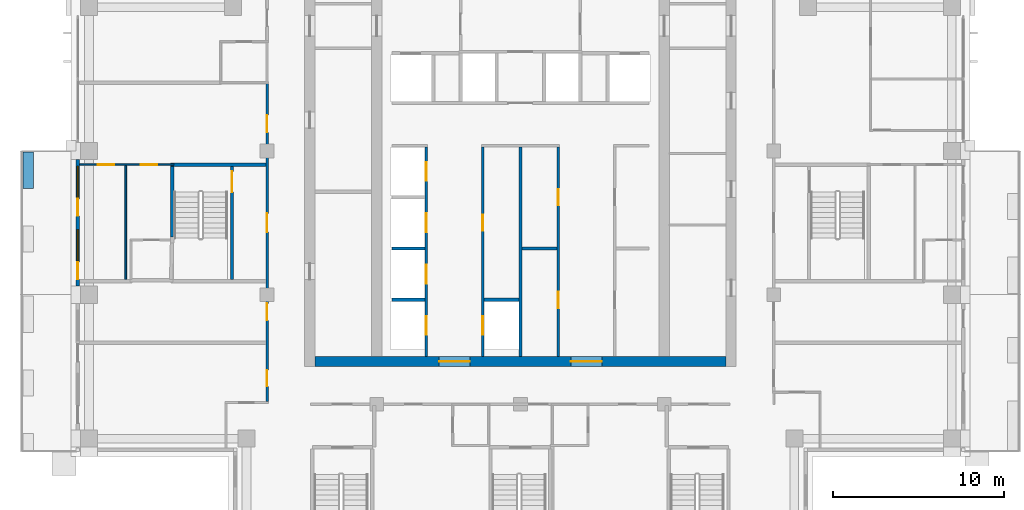
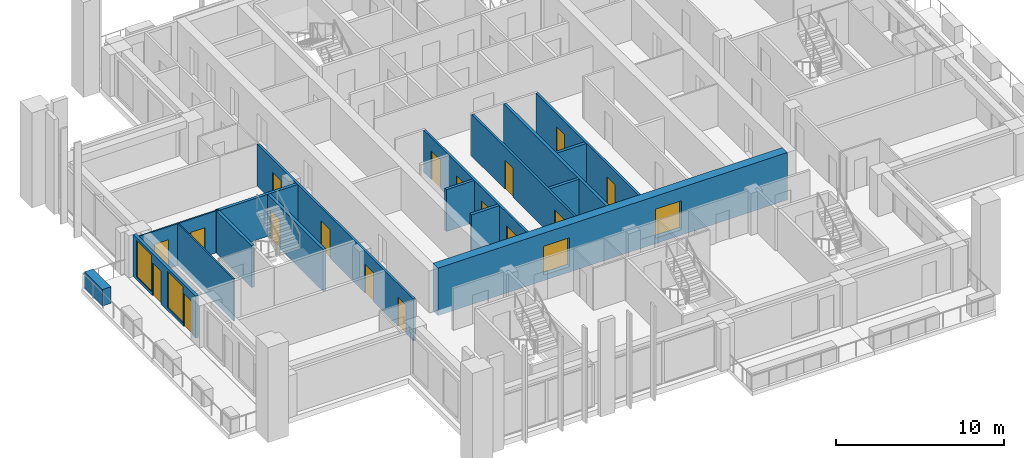
# One storey, part 9 of 18: 19 doors, 17 walls, 2 windows, 21 openings.
"""IFC4 building model written with IfcOpenShell, lengths in metres."""

from ifc_helpers import new_model, si_unit, direction, frame, frame_2d, origin, place, context, subcontext, project, spatial, rectangle, extrude, material, layer, layer_set, type_object, element, fill, save


model = new_model("IFC4")

# Units and contexts
model_context = context("Model", 3, precision=1e-05, world=origin(), true_north=direction((0.0, 1.0)))
body_context = subcontext(model_context, "Body", "Model", "MODEL_VIEW")
ifc_project = project(units=[si_unit("LENGTHUNIT", "METRE"), si_unit("AREAUNIT", "SQUARE_METRE"), si_unit("VOLUMEUNIT", "CUBIC_METRE"), si_unit("PLANEANGLEUNIT", "RADIAN"), si_unit("MASSUNIT", "GRAM", prefix="KILO")], contexts=[model_context])

# Site, building, storey
site_placement = place(None, origin())
site = spatial("IfcSite", under=ifc_project, at=site_placement, CompositionType="ELEMENT")
building_placement = place(site_placement, origin())
building = spatial("IfcBuilding", under=site, at=building_placement, Name="Vermilion Ogive Tower", CompositionType="ELEMENT")
storey_placement = place(building_placement, frame((0.0, 0.0, 199.699951171875)))
storey = spatial("IfcBuildingStorey", under=building, at=storey_placement, Name="L52", CompositionType="ELEMENT", Elevation=199.699951171875)

# Wall, openings, doors
ifc_material_1 = material(Name="Concrete B60", Category="concrete")
ifc_layer_1 = layer(ifc_material_1, 0.60009765625)
ifc_layer_set_1 = layer_set([ifc_layer_1], Name="Core wall 600 B60")
wall_type_1 = type_object("IfcWallType", Name="Core wall 600 B60", PredefinedType="SHEAR", material=ifc_layer_set_1)
wall_1_placement = place(storey_placement, frame((-12.0, -8.10009765625, -0.39990234375), z_axis=(0.0, 0.0, 1.0), x_axis=(1.0, 0.0, 0.0)))
wall_1 = element("IfcWall", 1, at=wall_1_placement, inside=storey, type_object=wall_type_1, Name="L52-CORE-S", PredefinedType="SHEAR", context=body_context, shape_type="SweptSolid", body=[
    extrude(rectangle(XDim=24.0, YDim=0.60009765625, at=frame_2d((12.0, 0.0))), origin(), (0.0, 0.0, 1.0), 3.449951171875),
])
opening_1_placement = place(wall_1_placement, frame((7.25, 0.0, 0.39990234375)))
opening_1 = element("IfcOpeningElement", 2, at=opening_1_placement, cuts=wall_1, Name="Opening DAH041", PredefinedType="OPENING", context=body_context, shape_type="SweptSolid", body=[
    extrude(rectangle(XDim=1.800048828125, YDim=2.10009765625, at=frame_2d((0.89990234375, 1.050048828125))), frame((0.0, 0.31005859375, 0.0), z_axis=(0.0, -1.0, 0.0), x_axis=(1.0, 0.0, 0.0)), (0.0, 0.0, 1.0), 0.6201171875),
])
opening_2_placement = place(wall_1_placement, frame((14.949951171875, 0.0, 0.39990234375)))
opening_2 = element("IfcOpeningElement", 3, at=opening_2_placement, cuts=wall_1, Name="Opening DAH042", PredefinedType="OPENING", context=body_context, shape_type="SweptSolid", body=[
    extrude(rectangle(XDim=1.800048828125, YDim=2.10009765625, at=frame_2d((0.89990234375, 1.050048828125))), frame((0.0, 0.31005859375, 0.0), z_axis=(0.0, -1.0, 0.0), x_axis=(1.0, 0.0, 0.0)), (0.0, 0.0, 1.0), 0.6201171875),
])
ifc_material_2 = material(Name="Timber door leaf", Category="wood")
door_type_1 = type_object("IfcDoorType", Name="Core entry door 1800 x 2100 FD60S", OperationType="DOUBLE_DOOR_SINGLE_SWING", PredefinedType="DOOR", material=ifc_material_2)
door_1_placement = place(opening_1_placement, origin())
door_1 = element("IfcDoor", 4, at=door_1_placement, inside=storey, type_object=door_type_1, Name="L52-CK-XD1", OperationType="SINGLE_SWING_LEFT", OverallHeight=2.10009765625, OverallWidth=1.800048828125, PredefinedType="DOOR", context=body_context, shape_type="SweptSolid", body=[
    extrude(rectangle(XDim=1.800048828125, YDim=2.10009765625, at=frame_2d((0.89990234375, 1.050048828125))), frame((0.0, 0.02490234375, 0.0), z_axis=(0.0, -1.0, 0.0), x_axis=(1.0, 0.0, 0.0)), (0.0, 0.0, 1.0), 0.050048828125),
])
fill(opening_1, door_1)
door_2_placement = place(opening_2_placement, origin())
door_2 = element("IfcDoor", 5, at=door_2_placement, inside=storey, type_object=door_type_1, Name="L52-CK-XD2", OperationType="SINGLE_SWING_LEFT", OverallHeight=2.10009765625, OverallWidth=1.800048828125, PredefinedType="DOOR", context=body_context, shape_type="SweptSolid", body=[
    extrude(rectangle(XDim=1.800048828125, YDim=2.10009765625, at=frame_2d((0.89990234375, 1.050048828125))), frame((0.0, 0.02490234375, 0.0), z_axis=(0.0, -1.0, 0.0), x_axis=(1.0, 0.0, 0.0)), (0.0, 0.0, 1.0), 0.050048828125),
])
fill(opening_2, door_2)

ifc_material_3 = material(Name="Gypsum board partition on steel studs", Category="steel")
ifc_layer_2 = layer(ifc_material_3, 0.10009765625)
ifc_layer_set_2 = layer_set([ifc_layer_2], Name="Partition 100 inner")
wall_type_2 = type_object("IfcWallType", Name="Partition 100 inner", PredefinedType="PARTITIONING", material=ifc_layer_set_2)
wall_2_placement = place(storey_placement, frame((-25.75, 3.39990234375, 0.0), z_axis=(0.0, 0.0, 1.0), x_axis=(1.0, 0.0, 0.0)))
wall_2 = element("IfcWall", 6, at=wall_2_placement, inside=storey, type_object=wall_type_2, Name="L52-W-W023", PredefinedType="PARTITIONING", context=body_context, shape_type="SweptSolid", body=[
    extrude(rectangle(XDim=5.5, YDim=0.10009765625, at=frame_2d((2.75, 0.0))), origin(), (0.0, 0.0, 1.0), 3.050048828125),
])
opening_3_placement = place(wall_2_placement, frame((1.074951171875, 0.0, 0.0)))
opening_3 = element("IfcOpeningElement", 7, at=opening_3_placement, cuts=wall_2, Name="Opening D4G4003", PredefinedType="OPENING", context=body_context, shape_type="SweptSolid", body=[
    extrude(rectangle(XDim=0.949951171875, YDim=2.10009765625, at=frame_2d((0.47509765625, 1.050048828125))), frame((0.0, 0.06005859375, 0.0), z_axis=(0.0, -1.0, 0.0), x_axis=(1.0, 0.0, 0.0)), (0.0, 0.0, 1.0), 0.1201171875),
])
opening_4_placement = place(wall_2_placement, frame((3.574951171875, 0.0, 0.0)))
opening_4 = element("IfcOpeningElement", 8, at=opening_4_placement, cuts=wall_2, Name="Opening D4G4005", PredefinedType="OPENING", context=body_context, shape_type="SweptSolid", body=[
    extrude(rectangle(XDim=0.949951171875, YDim=2.10009765625, at=frame_2d((0.47509765625, 1.050048828125))), frame((0.0, 0.06005859375, 0.0), z_axis=(0.0, -1.0, 0.0), x_axis=(1.0, 0.0, 0.0)), (0.0, 0.0, 1.0), 0.1201171875),
])
ifc_material_4 = material(Name="Timber door leaf", Category="wood")
door_type_2 = type_object("IfcDoorType", Name="Inner door 950 x 2100 FD30", OperationType="SINGLE_SWING_LEFT", PredefinedType="DOOR", material=ifc_material_4)
door_3_placement = place(opening_3_placement, origin())
door_3 = element("IfcDoor", 9, at=door_3_placement, inside=storey, type_object=door_type_2, Name="L52-D-D003", OperationType="SINGLE_SWING_RIGHT", OverallHeight=2.10009765625, OverallWidth=0.949951171875, PredefinedType="DOOR", context=body_context, shape_type="SweptSolid", body=[
    extrude(rectangle(XDim=0.949951171875, YDim=2.10009765625, at=frame_2d((0.47509765625, 1.050048828125))), frame((0.0, 0.02490234375, 0.0), z_axis=(0.0, -1.0, 0.0), x_axis=(1.0, 0.0, 0.0)), (0.0, 0.0, 1.0), 0.050048828125),
])
fill(opening_3, door_3)
door_4_placement = place(opening_4_placement, origin())
door_4 = element("IfcDoor", 10, at=door_4_placement, inside=storey, type_object=door_type_2, Name="L52-D-D005", OperationType="SINGLE_SWING_RIGHT", OverallHeight=2.10009765625, OverallWidth=0.949951171875, PredefinedType="DOOR", context=body_context, shape_type="SweptSolid", body=[
    extrude(rectangle(XDim=0.949951171875, YDim=2.10009765625, at=frame_2d((0.47509765625, 1.050048828125))), frame((0.0, 0.02490234375, 0.0), z_axis=(0.0, -1.0, 0.0), x_axis=(1.0, 0.0, 0.0)), (0.0, 0.0, 1.0), 0.050048828125),
])
fill(opening_4, door_4)

# Wall
wall_3_placement = place(storey_placement, frame((-23.050048828125, -3.300048828125, 0.0), z_axis=(0.0, 0.0, 1.0), x_axis=(0.0, 1.0, 0.0)))
element("IfcWall", 11, at=wall_3_placement, inside=storey, type_object=wall_type_2, Name="L52-W-W036", PredefinedType="PARTITIONING", context=body_context, shape_type="SweptSolid", body=[
    extrude(rectangle(XDim=6.650146484375, YDim=0.10009765625, at=frame_2d((3.3251953125, 0.0))), origin(), (0.0, 0.0, 1.0), 3.050048828125),
])

# Wall, openings, doors
ifc_material_5 = material(Name="Gypsum board partition on steel studs", Category="steel")
ifc_layer_3 = layer(ifc_material_5, 0.14990234375)
ifc_layer_set_3 = layer_set([ifc_layer_3], Name="Partition 150 corridor")
wall_type_3 = type_object("IfcWallType", Name="Partition 150 corridor", PredefinedType="PARTITIONING", material=ifc_layer_set_3)
wall_4_placement = place(storey_placement, frame((-14.800048828125, -10.449951171875, 0.0), z_axis=(0.0, 0.0, 1.0), x_axis=(0.0, 1.0, 0.0)))
wall_4 = element("IfcWall", 12, at=wall_4_placement, inside=storey, type_object=wall_type_3, Name="L52-W-W043", PredefinedType="PARTITIONING", context=body_context, shape_type="SweptSolid", body=[
    extrude(rectangle(XDim=18.579833984375, YDim=0.14990234375, at=frame_2d((9.2900390625, 0.0))), origin(), (0.0, 0.0, 1.0), 3.050048828125),
])
opening_5_placement = place(wall_4_placement, frame((0.89990234375, 0.0, 0.0)))
opening_5 = element("IfcOpeningElement", 13, at=opening_5_placement, cuts=wall_4, Name="Opening D4G4001", PredefinedType="OPENING", context=body_context, shape_type="SweptSolid", body=[
    extrude(rectangle(XDim=0.949951171875, YDim=2.10009765625, at=frame_2d((0.47509765625, 1.050048828125))), frame((0.0, 0.0849609375, 0.0), z_axis=(0.0, -1.0, 0.0), x_axis=(1.0, 0.0, 0.0)), (0.0, 0.0, 1.0), 0.169921875),
])
opening_6_placement = place(wall_4_placement, frame((15.739990234375, 0.0, 0.0)))
opening_6 = element("IfcOpeningElement", 14, at=opening_6_placement, cuts=wall_4, Name="Opening D4G4004", PredefinedType="OPENING", context=body_context, shape_type="SweptSolid", body=[
    extrude(rectangle(XDim=1.0, YDim=2.10009765625, at=frame_2d((0.5, 1.050048828125))), frame((0.0, 0.0849609375, 0.0), z_axis=(0.0, -1.0, 0.0), x_axis=(1.0, 0.0, 0.0)), (0.0, 0.0, 1.0), 0.169921875),
])
opening_7_placement = place(wall_4_placement, frame((9.89990234375, 0.0, 0.0)))
opening_7 = element("IfcOpeningElement", 15, at=opening_7_placement, cuts=wall_4, Name="Opening D4G4033", PredefinedType="OPENING", context=body_context, shape_type="SweptSolid", body=[
    extrude(rectangle(XDim=1.10009765625, YDim=2.10009765625, at=frame_2d((0.550048828125, 1.050048828125))), frame((0.0, 0.0849609375, 0.0), z_axis=(0.0, -1.0, 0.0), x_axis=(1.0, 0.0, 0.0)), (0.0, 0.0, 1.0), 0.169921875),
])
opening_8_placement = place(wall_4_placement, frame((4.75, 0.0, 0.0)))
opening_8 = element("IfcOpeningElement", 16, at=opening_8_placement, cuts=wall_4, Name="Opening D4G4035", PredefinedType="OPENING", context=body_context, shape_type="SweptSolid", body=[
    extrude(rectangle(XDim=1.0, YDim=2.10009765625, at=frame_2d((0.5, 1.050048828125))), frame((0.0, 0.0849609375, 0.0), z_axis=(0.0, -1.0, 0.0), x_axis=(1.0, 0.0, 0.0)), (0.0, 0.0, 1.0), 0.169921875),
])
ifc_material_6 = material(Name="Timber door leaf", Category="wood")
door_type_3 = type_object("IfcDoorType", Name="Stair door 1100 x 2100 FD60S", OperationType="SINGLE_SWING_LEFT", PredefinedType="DOOR", material=ifc_material_6)
door_5_placement = place(opening_7_placement, origin())
door_5 = element("IfcDoor", 17, at=door_5_placement, inside=storey, type_object=door_type_3, Name="L52-D-D033", OperationType="SINGLE_SWING_RIGHT", OverallHeight=2.10009765625, OverallWidth=1.10009765625, PredefinedType="DOOR", context=body_context, shape_type="SweptSolid", body=[
    extrude(rectangle(XDim=1.10009765625, YDim=2.10009765625, at=frame_2d((0.550048828125, 1.050048828125))), frame((0.0, 0.02490234375, 0.0), z_axis=(0.0, -1.0, 0.0), x_axis=(1.0, 0.0, 0.0)), (0.0, 0.0, 1.0), 0.050048828125),
])
fill(opening_7, door_5)
ifc_material_7 = material(Name="Timber door leaf", Category="wood")
door_type_4 = type_object("IfcDoorType", Name="Unit door 1000 x 2100 FD30S", OperationType="SINGLE_SWING_LEFT", PredefinedType="DOOR", material=ifc_material_7)
door_6_placement = place(opening_6_placement, origin())
door_6 = element("IfcDoor", 18, at=door_6_placement, inside=storey, type_object=door_type_4, Name="L52-D-D004", OperationType="SINGLE_SWING_RIGHT", OverallHeight=2.10009765625, OverallWidth=1.0, PredefinedType="DOOR", context=body_context, shape_type="SweptSolid", body=[
    extrude(rectangle(XDim=1.0, YDim=2.10009765625, at=frame_2d((0.5, 1.050048828125))), frame((0.0, 0.02490234375, 0.0), z_axis=(0.0, -1.0, 0.0), x_axis=(1.0, 0.0, 0.0)), (0.0, 0.0, 1.0), 0.050048828125),
])
fill(opening_6, door_6)
door_7_placement = place(opening_8_placement, origin())
door_7 = element("IfcDoor", 19, at=door_7_placement, inside=storey, type_object=door_type_4, Name="L52-D-D035", OperationType="SINGLE_SWING_LEFT", OverallHeight=2.10009765625, OverallWidth=1.0, PredefinedType="DOOR", context=body_context, shape_type="SweptSolid", body=[
    extrude(rectangle(XDim=1.0, YDim=2.10009765625, at=frame_2d((0.5, 1.050048828125))), frame((0.0, 0.02490234375, 0.0), z_axis=(0.0, -1.0, 0.0), x_axis=(1.0, 0.0, 0.0)), (0.0, 0.0, 1.0), 0.050048828125),
])
fill(opening_8, door_7)
ifc_material_8 = material(Name="Timber door leaf", Category="wood")
door_type_5 = type_object("IfcDoorType", Name="Unit door 950 x 2100 FD30S", OperationType="SINGLE_SWING_LEFT", PredefinedType="DOOR", material=ifc_material_8)
door_8_placement = place(opening_5_placement, origin())
door_8 = element("IfcDoor", 20, at=door_8_placement, inside=storey, type_object=door_type_5, Name="L52-D-D001", OperationType="SINGLE_SWING_LEFT", OverallHeight=2.10009765625, OverallWidth=0.949951171875, PredefinedType="DOOR", context=body_context, shape_type="SweptSolid", body=[
    extrude(rectangle(XDim=0.949951171875, YDim=2.10009765625, at=frame_2d((0.47509765625, 1.050048828125))), frame((0.0, 0.02490234375, 0.0), z_axis=(0.0, -1.0, 0.0), x_axis=(1.0, 0.0, 0.0)), (0.0, 0.0, 1.0), 0.050048828125),
])
fill(opening_5, door_8)

wall_5_placement = place(storey_placement, frame((-5.5, -7.799072265625, 0.0), z_axis=(0.0, 0.0, 1.0), x_axis=(0.0, 1.0, 0.0)))
wall_5 = element("IfcWall", 21, at=wall_5_placement, inside=storey, type_object=wall_type_3, Name="L52-CK-W-W019", PredefinedType="PARTITIONING", context=body_context, shape_type="SweptSolid", body=[
    extrude(rectangle(XDim=12.22412109375, YDim=0.14990234375, at=frame_2d((6.112060546875, 0.0))), origin(), (0.0, 0.0, 1.0), 3.050048828125),
])
opening_9_placement = place(wall_5_placement, frame((1.2490234375, 0.0, 0.0)))
opening_9 = element("IfcOpeningElement", 22, at=opening_9_placement, cuts=wall_5, Name="Opening DAA481", PredefinedType="OPENING", context=body_context, shape_type="SweptSolid", body=[
    extrude(rectangle(XDim=1.10009765625, YDim=2.10009765625, at=frame_2d((0.550048828125, 1.050048828125))), frame((0.0, 0.0849609375, 0.0), z_axis=(0.0, -1.0, 0.0), x_axis=(1.0, 0.0, 0.0)), (0.0, 0.0, 1.0), 0.169921875),
])
opening_10_placement = place(wall_5_placement, frame((4.2490234375, 0.0, 0.0)))
opening_10 = element("IfcOpeningElement", 23, at=opening_10_placement, cuts=wall_5, Name="Opening DAA482", PredefinedType="OPENING", context=body_context, shape_type="SweptSolid", body=[
    extrude(rectangle(XDim=1.10009765625, YDim=2.10009765625, at=frame_2d((0.550048828125, 1.050048828125))), frame((0.0, 0.0849609375, 0.0), z_axis=(0.0, -1.0, 0.0), x_axis=(1.0, 0.0, 0.0)), (0.0, 0.0, 1.0), 0.169921875),
])
opening_11_placement = place(wall_5_placement, frame((7.2490234375, 0.0, 0.0)))
opening_11 = element("IfcOpeningElement", 24, at=opening_11_placement, cuts=wall_5, Name="Opening DAA483", PredefinedType="OPENING", context=body_context, shape_type="SweptSolid", body=[
    extrude(rectangle(XDim=1.10009765625, YDim=2.10009765625, at=frame_2d((0.550048828125, 1.050048828125))), frame((0.0, 0.0849609375, 0.0), z_axis=(0.0, -1.0, 0.0), x_axis=(1.0, 0.0, 0.0)), (0.0, 0.0, 1.0), 0.169921875),
])
opening_12_placement = place(wall_5_placement, frame((10.2490234375, 0.0, 0.0)))
opening_12 = element("IfcOpeningElement", 25, at=opening_12_placement, cuts=wall_5, Name="Opening DAA484", PredefinedType="OPENING", context=body_context, shape_type="SweptSolid", body=[
    extrude(rectangle(XDim=1.10009765625, YDim=2.10009765625, at=frame_2d((0.550048828125, 1.050048828125))), frame((0.0, 0.0849609375, 0.0), z_axis=(0.0, -1.0, 0.0), x_axis=(1.0, 0.0, 0.0)), (0.0, 0.0, 1.0), 0.169921875),
])
ifc_material_9 = material(Name="Stainless steel", Category="steel")
door_type_6 = type_object("IfcDoorType", Name="Lift landing door 1100 x 2100", OperationType="SLIDING_TO_LEFT", PredefinedType="DOOR", material=ifc_material_9)
door_9_placement = place(opening_9_placement, origin())
door_9 = element("IfcDoor", 26, at=door_9_placement, inside=storey, type_object=door_type_6, Name="L52-CK-D-D001", OperationType="SLIDING_TO_LEFT", OverallHeight=2.10009765625, OverallWidth=1.10009765625, PredefinedType="DOOR", context=body_context, shape_type="SweptSolid", body=[
    extrude(rectangle(XDim=1.10009765625, YDim=2.10009765625, at=frame_2d((0.550048828125, 1.050048828125))), frame((0.0, 0.02490234375, 0.0), z_axis=(0.0, -1.0, 0.0), x_axis=(1.0, 0.0, 0.0)), (0.0, 0.0, 1.0), 0.050048828125),
])
fill(opening_9, door_9)
door_10_placement = place(opening_10_placement, origin())
door_10 = element("IfcDoor", 27, at=door_10_placement, inside=storey, type_object=door_type_6, Name="L52-CK-D-D002", OperationType="SLIDING_TO_LEFT", OverallHeight=2.10009765625, OverallWidth=1.10009765625, PredefinedType="DOOR", context=body_context, shape_type="SweptSolid", body=[
    extrude(rectangle(XDim=1.10009765625, YDim=2.10009765625, at=frame_2d((0.550048828125, 1.050048828125))), frame((0.0, 0.02490234375, 0.0), z_axis=(0.0, -1.0, 0.0), x_axis=(1.0, 0.0, 0.0)), (0.0, 0.0, 1.0), 0.050048828125),
])
fill(opening_10, door_10)
door_11_placement = place(opening_11_placement, origin())
door_11 = element("IfcDoor", 28, at=door_11_placement, inside=storey, type_object=door_type_6, Name="L52-CK-D-D003", OperationType="SLIDING_TO_LEFT", OverallHeight=2.10009765625, OverallWidth=1.10009765625, PredefinedType="DOOR", context=body_context, shape_type="SweptSolid", body=[
    extrude(rectangle(XDim=1.10009765625, YDim=2.10009765625, at=frame_2d((0.550048828125, 1.050048828125))), frame((0.0, 0.02490234375, 0.0), z_axis=(0.0, -1.0, 0.0), x_axis=(1.0, 0.0, 0.0)), (0.0, 0.0, 1.0), 0.050048828125),
])
fill(opening_11, door_11)
door_12_placement = place(opening_12_placement, origin())
door_12 = element("IfcDoor", 29, at=door_12_placement, inside=storey, type_object=door_type_6, Name="L52-CK-D-D004", OperationType="SLIDING_TO_LEFT", OverallHeight=2.10009765625, OverallWidth=1.10009765625, PredefinedType="DOOR", context=body_context, shape_type="SweptSolid", body=[
    extrude(rectangle(XDim=1.10009765625, YDim=2.10009765625, at=frame_2d((0.550048828125, 1.050048828125))), frame((0.0, 0.02490234375, 0.0), z_axis=(0.0, -1.0, 0.0), x_axis=(1.0, 0.0, 0.0)), (0.0, 0.0, 1.0), 0.050048828125),
])
fill(opening_12, door_12)

wall_6_placement = place(storey_placement, frame((-2.199951171875, -7.799072265625, 0.0), z_axis=(0.0, 0.0, 1.0), x_axis=(0.0, 1.0, 0.0)))
wall_6 = element("IfcWall", 30, at=wall_6_placement, inside=storey, type_object=wall_type_3, Name="L52-CK-W-W024", PredefinedType="PARTITIONING", context=body_context, shape_type="SweptSolid", body=[
    extrude(rectangle(XDim=12.22412109375, YDim=0.14990234375, at=frame_2d((6.112060546875, 0.0))), origin(), (0.0, 0.0, 1.0), 3.050048828125),
])
opening_13_placement = place(wall_6_placement, frame((1.2490234375, 0.0, 0.0)))
opening_13 = element("IfcOpeningElement", 31, at=opening_13_placement, cuts=wall_6, Name="Opening DAA485", PredefinedType="OPENING", context=body_context, shape_type="SweptSolid", body=[
    extrude(rectangle(XDim=1.10009765625, YDim=2.10009765625, at=frame_2d((0.550048828125, 1.050048828125))), frame((0.0, 0.0849609375, 0.0), z_axis=(0.0, -1.0, 0.0), x_axis=(1.0, 0.0, 0.0)), (0.0, 0.0, 1.0), 0.169921875),
])
opening_14_placement = place(wall_6_placement, frame((7.323974609375, 0.0, 0.0)))
opening_14 = element("IfcOpeningElement", 32, at=opening_14_placement, cuts=wall_6, Name="Opening DAA472", PredefinedType="OPENING", context=body_context, shape_type="SweptSolid", body=[
    extrude(rectangle(XDim=0.949951171875, YDim=2.10009765625, at=frame_2d((0.47509765625, 1.050048828125))), frame((0.0, 0.0849609375, 0.0), z_axis=(0.0, -1.0, 0.0), x_axis=(1.0, 0.0, 0.0)), (0.0, 0.0, 1.0), 0.169921875),
])
door_13_placement = place(opening_13_placement, origin())
door_13 = element("IfcDoor", 33, at=door_13_placement, inside=storey, type_object=door_type_6, Name="L52-CK-D-D005", OperationType="SLIDING_TO_LEFT", OverallHeight=2.10009765625, OverallWidth=1.10009765625, PredefinedType="DOOR", context=body_context, shape_type="SweptSolid", body=[
    extrude(rectangle(XDim=1.10009765625, YDim=2.10009765625, at=frame_2d((0.550048828125, 1.050048828125))), frame((0.0, 0.02490234375, 0.0), z_axis=(0.0, -1.0, 0.0), x_axis=(1.0, 0.0, 0.0)), (0.0, 0.0, 1.0), 0.050048828125),
])
fill(opening_13, door_13)
ifc_material_10 = material(Name="Timber door leaf", Category="wood")
door_type_7 = type_object("IfcDoorType", Name="Service door 950 x 2100 FD60", OperationType="SINGLE_SWING_LEFT", PredefinedType="DOOR", material=ifc_material_10)
door_14_placement = place(opening_14_placement, origin())
door_14 = element("IfcDoor", 34, at=door_14_placement, inside=storey, type_object=door_type_7, Name="L52-CK-D-D006", OperationType="SINGLE_SWING_RIGHT", OverallHeight=2.10009765625, OverallWidth=0.949951171875, PredefinedType="DOOR", context=body_context, shape_type="SweptSolid", body=[
    extrude(rectangle(XDim=0.949951171875, YDim=2.10009765625, at=frame_2d((0.47509765625, 1.050048828125))), frame((0.0, 0.02490234375, 0.0), z_axis=(0.0, -1.0, 0.0), x_axis=(1.0, 0.0, 0.0)), (0.0, 0.0, 1.0), 0.050048828125),
])
fill(opening_14, door_14)

wall_7_placement = place(storey_placement, frame((2.199951171875, -7.799072265625, 0.0), z_axis=(0.0, 0.0, 1.0), x_axis=(0.0, 1.0, 0.0)))
wall_7 = element("IfcWall", 35, at=wall_7_placement, inside=storey, type_object=wall_type_3, Name="L52-CK-W-W031", PredefinedType="PARTITIONING", context=body_context, shape_type="SweptSolid", body=[
    extrude(rectangle(XDim=12.22412109375, YDim=0.14990234375, at=frame_2d((6.112060546875, 0.0))), origin(), (0.0, 0.0, 1.0), 3.050048828125),
])
opening_15_placement = place(wall_7_placement, frame((2.823974609375, 0.0, 0.0)))
opening_15 = element("IfcOpeningElement", 36, at=opening_15_placement, cuts=wall_7, Name="Opening DAA473", PredefinedType="OPENING", context=body_context, shape_type="SweptSolid", body=[
    extrude(rectangle(XDim=0.949951171875, YDim=2.10009765625, at=frame_2d((0.47509765625, 1.050048828125))), frame((0.0, 0.0849609375, 0.0), z_axis=(0.0, -1.0, 0.0), x_axis=(1.0, 0.0, 0.0)), (0.0, 0.0, 1.0), 0.169921875),
])
opening_16_placement = place(wall_7_placement, frame((8.823974609375, 0.0, 0.0)))
opening_16 = element("IfcOpeningElement", 37, at=opening_16_placement, cuts=wall_7, Name="Opening DAA474", PredefinedType="OPENING", context=body_context, shape_type="SweptSolid", body=[
    extrude(rectangle(XDim=0.949951171875, YDim=2.10009765625, at=frame_2d((0.47509765625, 1.050048828125))), frame((0.0, 0.0849609375, 0.0), z_axis=(0.0, -1.0, 0.0), x_axis=(1.0, 0.0, 0.0)), (0.0, 0.0, 1.0), 0.169921875),
])
door_15_placement = place(opening_15_placement, origin())
door_15 = element("IfcDoor", 38, at=door_15_placement, inside=storey, type_object=door_type_7, Name="L52-CK-D-D007", OperationType="SINGLE_SWING_RIGHT", OverallHeight=2.10009765625, OverallWidth=0.949951171875, PredefinedType="DOOR", context=body_context, shape_type="SweptSolid", body=[
    extrude(rectangle(XDim=0.949951171875, YDim=2.10009765625, at=frame_2d((0.47509765625, 1.050048828125))), frame((0.0, 0.02490234375, 0.0), z_axis=(0.0, -1.0, 0.0), x_axis=(1.0, 0.0, 0.0)), (0.0, 0.0, 1.0), 0.050048828125),
])
fill(opening_15, door_15)
door_16_placement = place(opening_16_placement, origin())
door_16 = element("IfcDoor", 39, at=door_16_placement, inside=storey, type_object=door_type_7, Name="L52-CK-D-D008", OperationType="SINGLE_SWING_RIGHT", OverallHeight=2.10009765625, OverallWidth=0.949951171875, PredefinedType="DOOR", context=body_context, shape_type="SweptSolid", body=[
    extrude(rectangle(XDim=0.949951171875, YDim=2.10009765625, at=frame_2d((0.47509765625, 1.050048828125))), frame((0.0, 0.02490234375, 0.0), z_axis=(0.0, -1.0, 0.0), x_axis=(1.0, 0.0, 0.0)), (0.0, 0.0, 1.0), 0.050048828125),
])
fill(opening_16, door_16)

# Walls
ifc_material_11 = material(Name="Gypsum board partition on steel studs", Category="steel")
ifc_layer_4 = layer(ifc_material_11, 0.199951171875)
ifc_layer_set_4 = layer_set([ifc_layer_4], Name="Partition 200 party")
wall_type_4 = type_object("IfcWallType", Name="Partition 200 party", PredefinedType="PARTITIONING", material=ifc_layer_set_4)
wall_8_placement = place(storey_placement, frame((-7.5, -4.5, 0.0), z_axis=(0.0, 0.0, 1.0), x_axis=(1.0, 0.0, 0.0)))
element("IfcWall", 40, at=wall_8_placement, inside=storey, type_object=wall_type_4, Name="L52-CK-W-W001", PredefinedType="PARTITIONING", context=body_context, shape_type="SweptSolid", body=[
    extrude(rectangle(XDim=1.925048828125, YDim=0.199951171875, at=frame_2d((0.96240234375, 0.0))), origin(), (0.0, 0.0, 1.0), 3.050048828125),
])
wall_9_placement = place(storey_placement, frame((-2.125, -4.5, 0.0), z_axis=(0.0, 0.0, 1.0), x_axis=(1.0, 0.0, 0.0)))
element("IfcWall", 41, at=wall_9_placement, inside=storey, type_object=wall_type_4, Name="L52-CK-W-W002", PredefinedType="PARTITIONING", context=body_context, shape_type="SweptSolid", body=[
    extrude(rectangle(XDim=2.02490234375, YDim=0.199951171875, at=frame_2d((1.012451171875, 0.0))), origin(), (0.0, 0.0, 1.0), 3.050048828125),
])
wall_10_placement = place(storey_placement, frame((-7.5, -1.5, 0.0), z_axis=(0.0, 0.0, 1.0), x_axis=(1.0, 0.0, 0.0)))
element("IfcWall", 42, at=wall_10_placement, inside=storey, type_object=wall_type_4, Name="L52-CK-W-W003", PredefinedType="PARTITIONING", context=body_context, shape_type="SweptSolid", body=[
    extrude(rectangle(XDim=1.925048828125, YDim=0.199951171875, at=frame_2d((0.96240234375, 0.0))), origin(), (0.0, 0.0, 1.0), 3.050048828125),
])
wall_11_placement = place(storey_placement, frame((0.10009765625, -1.5, 0.0), z_axis=(0.0, 0.0, 1.0), x_axis=(1.0, 0.0, 0.0)))
element("IfcWall", 43, at=wall_11_placement, inside=storey, type_object=wall_type_4, Name="L52-CK-W-W004", PredefinedType="PARTITIONING", context=body_context, shape_type="SweptSolid", body=[
    extrude(rectangle(XDim=2.02490234375, YDim=0.199951171875, at=frame_2d((1.012451171875, 0.0))), origin(), (0.0, 0.0, 1.0), 3.050048828125),
])
wall_12_placement = place(storey_placement, frame((0.0, -7.799072265625, 0.0), z_axis=(0.0, 0.0, 1.0), x_axis=(0.0, 1.0, 0.0)))
element("IfcWall", 44, at=wall_12_placement, inside=storey, type_object=wall_type_4, Name="L52-CK-W-W027", PredefinedType="PARTITIONING", context=body_context, shape_type="SweptSolid", body=[
    extrude(rectangle(XDim=12.22412109375, YDim=0.199951171875, at=frame_2d((6.112060546875, 0.0))), origin(), (0.0, 0.0, 1.0), 3.050048828125),
])
ifc_material_12 = material(Name="Concrete B60", Category="concrete")
ifc_layer_5 = layer(ifc_material_12, 0.199951171875)
ifc_layer_set_5 = layer_set([ifc_layer_5], Name="Stair shaft wall 200 Concrete B60")
wall_type_5 = type_object("IfcWallType", Name="Stair shaft wall 200 Concrete B60", PredefinedType="SOLIDWALL", material=ifc_layer_set_5)
wall_13_placement = place(storey_placement, frame((-20.449951171875, 3.39990234375, 0.0), z_axis=(0.0, 0.0, 1.0), x_axis=(1.0, 0.0, 0.0)))
element("IfcWall", 45, at=wall_13_placement, inside=storey, type_object=wall_type_5, Name="L52-W-W024", PredefinedType="SOLIDWALL", context=body_context, shape_type="SweptSolid", body=[
    extrude(rectangle(XDim=5.574951171875, YDim=0.199951171875, at=frame_2d((2.78759765625, 0.0))), origin(), (0.0, 0.0, 1.0), 3.050048828125),
])
wall_14_placement = place(storey_placement, frame((-20.35009765625, -0.830078125, 0.0), z_axis=(0.0, 0.0, 1.0), x_axis=(0.0, 1.0, 0.0)))
element("IfcWall", 46, at=wall_14_placement, inside=storey, type_object=wall_type_5, Name="L52-W-W039", PredefinedType="SOLIDWALL", context=body_context, shape_type="SweptSolid", body=[
    extrude(rectangle(XDim=4.130126953125, YDim=0.199951171875, at=frame_2d((2.06494140625, 0.0))), origin(), (0.0, 0.0, 1.0), 3.050048828125),
])

# Wall, opening, door
wall_15_placement = place(storey_placement, frame((-16.85009765625, -3.300048828125, 0.0), z_axis=(0.0, 0.0, 1.0), x_axis=(0.0, 1.0, 0.0)))
wall_15 = element("IfcWall", 47, at=wall_15_placement, inside=storey, type_object=wall_type_5, Name="L52-W-W042", PredefinedType="SOLIDWALL", context=body_context, shape_type="SweptSolid", body=[
    extrude(rectangle(XDim=6.60009765625, YDim=0.199951171875, at=frame_2d((3.300048828125, 0.0))), origin(), (0.0, 0.0, 1.0), 3.050048828125),
])
opening_17_placement = place(wall_15_placement, frame((5.10009765625, 0.0, 0.0)))
opening_17 = element("IfcOpeningElement", 48, at=opening_17_placement, cuts=wall_15, Name="Opening D4G4034", PredefinedType="OPENING", context=body_context, shape_type="SweptSolid", body=[
    extrude(rectangle(XDim=1.199951171875, YDim=2.10009765625, at=frame_2d((0.60009765625, 1.050048828125))), frame((0.0, 0.10986328125, 0.0), z_axis=(0.0, -1.0, 0.0), x_axis=(1.0, 0.0, 0.0)), (0.0, 0.0, 1.0), 0.219970703125),
])
ifc_material_13 = material(Name="Timber door leaf", Category="wood")
door_type_8 = type_object("IfcDoorType", Name="Stair door 1200 x 2100 FD60S", OperationType="SINGLE_SWING_LEFT", PredefinedType="DOOR", material=ifc_material_13)
door_17_placement = place(opening_17_placement, origin())
door_17 = element("IfcDoor", 49, at=door_17_placement, inside=storey, type_object=door_type_8, Name="L52-D-D034", OperationType="SINGLE_SWING_RIGHT", OverallHeight=2.10009765625, OverallWidth=1.199951171875, PredefinedType="DOOR", context=body_context, shape_type="SweptSolid", body=[
    extrude(rectangle(XDim=1.199951171875, YDim=2.10009765625, at=frame_2d((0.60009765625, 1.050048828125))), frame((0.0, 0.02490234375, 0.0), z_axis=(0.0, -1.0, 0.0), x_axis=(1.0, 0.0, 0.0)), (0.0, 0.0, 1.0), 0.050048828125),
])
fill(opening_17, door_17)

# Wall
ifc_material_14 = material(Name="Concrete B40", Category="concrete")
ifc_layer_6 = layer(ifc_material_14, 0.60009765625)
ifc_layer_set_6 = layer_set([ifc_layer_6], Name="Structural planter")
wall_type_6 = type_object("IfcWallType", Name="Structural planter", PredefinedType="USERDEFINED", material=ifc_layer_set_6)
wall_16_placement = place(storey_placement, frame((-28.75, 4.139892578125, -0.0400390625), z_axis=(0.0, 0.0, 1.0), x_axis=(0.0, -1.0, 0.0)))
element("IfcWall", 50, at=wall_16_placement, inside=storey, type_object=wall_type_6, Name="Planter W02A1", ObjectType="PLANTER", PredefinedType="USERDEFINED", context=body_context, shape_type="SweptSolid", body=[
    extrude(rectangle(XDim=2.139892578125, YDim=0.60009765625, at=frame_2d((1.06982421875, 0.0))), origin(), (0.0, 0.0, 1.0), 1.2001953125),
])

# Wall, openings, doors, windows
ifc_material_15 = material(Name="Aluminium window wall framing", Category="aluminium")
ifc_layer_7 = layer(ifc_material_15, 0.199951171875)
ifc_layer_set_7 = layer_set([ifc_layer_7], Name="Window wall")
wall_type_7 = type_object("IfcWallType", Name="Window wall", PredefinedType="STANDARD", material=ifc_layer_set_7)
wall_17_placement = place(storey_placement, frame((-25.85009765625, 3.699951171875, 0.0), z_axis=(0.0, 0.0, 1.0), x_axis=(0.0, -1.0, 0.0)))
wall_17 = element("IfcWall", 51, at=wall_17_placement, inside=storey, type_object=wall_type_7, Name="Window wall W2", PredefinedType="STANDARD", context=body_context, shape_type="SweptSolid", body=[
    extrude(rectangle(XDim=7.39990234375, YDim=0.199951171875, at=frame_2d((3.699951171875, 0.0))), origin(), (0.0, 0.0, 1.0), 3.050048828125),
])
opening_18_placement = place(wall_17_placement, frame((4.10009765625, 0.0, 0.199951171875)))
opening_18 = element("IfcOpeningElement", 52, at=opening_18_placement, cuts=wall_17, Name="Opening W1-W99", PredefinedType="OPENING", context=body_context, shape_type="SweptSolid", body=[
    extrude(rectangle(XDim=1.800048828125, YDim=2.64990234375, at=frame_2d((0.89990234375, 1.324951171875))), frame((0.0, 0.10986328125, 0.0), z_axis=(0.0, -1.0, 0.0), x_axis=(1.0, 0.0, 0.0)), (0.0, 0.0, 1.0), 0.219970703125),
])
opening_19_placement = place(wall_17_placement, frame((6.0, 0.0, 0.0)))
opening_19 = element("IfcOpeningElement", 53, at=opening_19_placement, cuts=wall_17, Name="Opening D1-W99", PredefinedType="OPENING", context=body_context, shape_type="SweptSolid", body=[
    extrude(rectangle(XDim=1.0, YDim=2.39990234375, at=frame_2d((0.5, 1.199951171875))), frame((0.0, 0.10986328125, 0.0), z_axis=(0.0, -1.0, 0.0), x_axis=(1.0, 0.0, 0.0)), (0.0, 0.0, 1.0), 0.219970703125),
])
opening_20_placement = place(wall_17_placement, frame((0.39990234375, 0.0, 0.199951171875)))
opening_20 = element("IfcOpeningElement", 54, at=opening_20_placement, cuts=wall_17, Name="Opening W1-W00", PredefinedType="OPENING", context=body_context, shape_type="SweptSolid", body=[
    extrude(rectangle(XDim=1.800048828125, YDim=2.64990234375, at=frame_2d((0.89990234375, 1.324951171875))), frame((0.0, 0.10986328125, 0.0), z_axis=(0.0, -1.0, 0.0), x_axis=(1.0, 0.0, 0.0)), (0.0, 0.0, 1.0), 0.219970703125),
])
opening_21_placement = place(wall_17_placement, frame((2.300048828125, 0.0, 0.0)))
opening_21 = element("IfcOpeningElement", 55, at=opening_21_placement, cuts=wall_17, Name="Opening D1-W00", PredefinedType="OPENING", context=body_context, shape_type="SweptSolid", body=[
    extrude(rectangle(XDim=1.0, YDim=2.39990234375, at=frame_2d((0.5, 1.199951171875))), frame((0.0, 0.10986328125, 0.0), z_axis=(0.0, -1.0, 0.0), x_axis=(1.0, 0.0, 0.0)), (0.0, 0.0, 1.0), 0.219970703125),
])
ifc_material_16 = material(Name="Aluminium framed glazed door", Category="aluminium")
door_type_9 = type_object("IfcDoorType", Name="Balcony door D1", OperationType="SINGLE_SWING_LEFT", PredefinedType="DOOR", material=ifc_material_16)
door_18_placement = place(opening_19_placement, origin())
door_18 = element("IfcDoor", 56, at=door_18_placement, inside=storey, type_object=door_type_9, Name="Balcony door W99", OperationType="SINGLE_SWING_LEFT", OverallHeight=2.39990234375, OverallWidth=1.0, PredefinedType="DOOR", context=body_context, shape_type="SweptSolid", body=[
    extrude(rectangle(XDim=1.0, YDim=2.39990234375, at=frame_2d((0.5, 1.199951171875))), frame((0.0, 0.02490234375, 0.0), z_axis=(0.0, -1.0, 0.0), x_axis=(1.0, 0.0, 0.0)), (0.0, 0.0, 1.0), 0.050048828125),
])
fill(opening_19, door_18)
door_19_placement = place(opening_21_placement, origin())
door_19 = element("IfcDoor", 57, at=door_19_placement, inside=storey, type_object=door_type_9, Name="Balcony door W00", OperationType="SINGLE_SWING_LEFT", OverallHeight=2.39990234375, OverallWidth=1.0, PredefinedType="DOOR", context=body_context, shape_type="SweptSolid", body=[
    extrude(rectangle(XDim=1.0, YDim=2.39990234375, at=frame_2d((0.5, 1.199951171875))), frame((0.0, 0.02490234375, 0.0), z_axis=(0.0, -1.0, 0.0), x_axis=(1.0, 0.0, 0.0)), (0.0, 0.0, 1.0), 0.050048828125),
])
fill(opening_21, door_19)
ifc_material_17 = material(Name="Aluminium framed double glazing", Category="aluminium")
window_type = type_object("IfcWindowType", Name="Guest window W1", PartitioningType="SINGLE_PANEL", PredefinedType="WINDOW", material=ifc_material_17)
window_1_placement = place(opening_18_placement, origin())
window_1 = element("IfcWindow", 58, at=window_1_placement, inside=storey, type_object=window_type, Name="Window W99", OverallHeight=2.64990234375, OverallWidth=1.800048828125, PartitioningType="SINGLE_PANEL", PredefinedType="WINDOW", context=body_context, shape_type="SweptSolid", body=[
    extrude(rectangle(XDim=1.800048828125, YDim=2.64990234375, at=frame_2d((0.89990234375, 1.324951171875))), frame((0.0, 0.030029296875, 0.0), z_axis=(0.0, -1.0, 0.0), x_axis=(1.0, 0.0, 0.0)), (0.0, 0.0, 1.0), 0.06005859375),
])
fill(opening_18, window_1)
window_2_placement = place(opening_20_placement, origin())
window_2 = element("IfcWindow", 59, at=window_2_placement, inside=storey, type_object=window_type, Name="Window W00", OverallHeight=2.64990234375, OverallWidth=1.800048828125, PartitioningType="SINGLE_PANEL", PredefinedType="WINDOW", context=body_context, shape_type="SweptSolid", body=[
    extrude(rectangle(XDim=1.800048828125, YDim=2.64990234375, at=frame_2d((0.89990234375, 1.324951171875))), frame((0.0, 0.030029296875, 0.0), z_axis=(0.0, -1.0, 0.0), x_axis=(1.0, 0.0, 0.0)), (0.0, 0.0, 1.0), 0.06005859375),
])
fill(opening_20, window_2)

save(model, "model.ifc")
